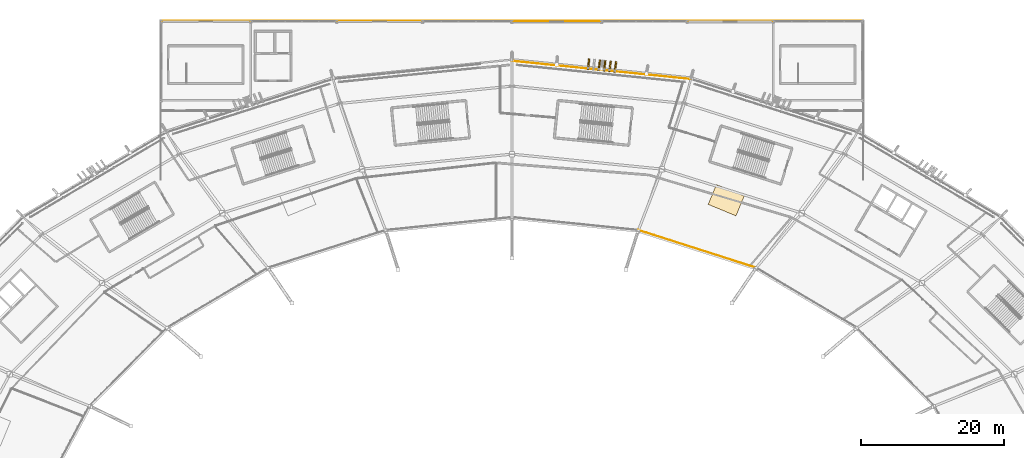
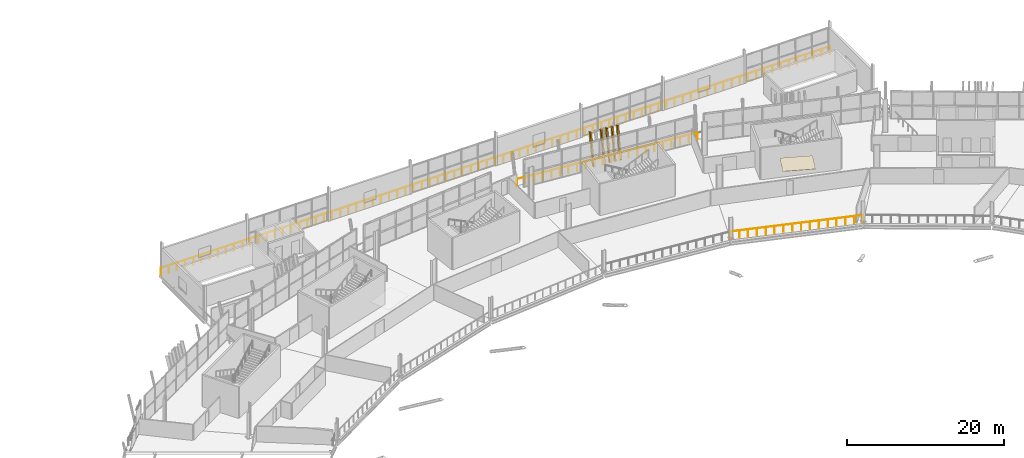
# One storey, part 166 of 168: 5 shading devices, 3 railings, 1 covering.
"""IFC4 building model written with IfcOpenShell, lengths in metres."""

from ifc_helpers import new_model, si_unit, direction, frame, origin, origin_2d, place, context, subcontext, project, spatial, polyline, rectangle, outline, extrude, material, layer, layer_set, material_profile, profile_set, type_object, element, save


model = new_model("IFC4")

# Units and contexts
model_context = context("Model", 3, precision=1e-05, world=origin(), true_north=direction((0.0, 1.0)))
body_context = subcontext(model_context, "Body", "Model", "MODEL_VIEW")
ifc_project = project(units=[si_unit("LENGTHUNIT", "METRE"), si_unit("AREAUNIT", "SQUARE_METRE"), si_unit("VOLUMEUNIT", "CUBIC_METRE"), si_unit("PLANEANGLEUNIT", "RADIAN"), si_unit("MASSUNIT", "GRAM", prefix="KILO")], contexts=[model_context])

# Site, building, storey
site_placement = place(None, origin())
site = spatial("IfcSite", under=ifc_project, at=site_placement, CompositionType="ELEMENT")
building_placement = place(site_placement, origin())
building = spatial("IfcBuilding", under=site, at=building_placement, Name="Zlatoyarsky Gate Stadium", CompositionType="ELEMENT")
storey_placement = place(building_placement, frame((0.0, 0.0, 15.60009765625)))
storey = spatial("IfcBuildingStorey", under=building, at=storey_placement, Name="L03", CompositionType="ELEMENT", Elevation=15.60009765625)

# Railings
ifc_material_1 = material(Name="Powder-coated steel tubular guardrail", Category="steel")
railing_type = type_object("IfcRailingType", Name="CONCOURSE SLAB EDGE GUARDRAIL 1200", PredefinedType="GUARDRAIL", material=ifc_material_1)
railing_1_placement = place(storey_placement, frame((145.090087890625, 125.622314453125, 0.0)))
element("IfcRailing", 1, at=railing_1_placement, inside=storey, type_object=railing_type, Name="L03 inner bowl edge guardrail 04", PredefinedType="GUARDRAIL", context=body_context, shape_type="SweptSolid", body=[
    extrude(rectangle(XDim=0.048095703125, YDim=0.048095703125, at=origin_2d()), frame((0.0, 0.0, 1.17578125), z_axis=(-0.952412982001, 0.304810616148, 0.0), x_axis=(-0.304810616148, -0.952412982001, 0.0)), (0.0, 0.0, 1.0), 17.265380859375),
    extrude(rectangle(XDim=0.0419921875, YDim=0.0419921875, at=origin_2d()), origin(), (0.0, 0.0, 1.0), 1.15185546875),
    extrude(rectangle(XDim=0.0419921875, YDim=0.0419921875, at=origin_2d()), frame((-1.09619140625, 0.350830078125, 0.0)), (0.0, 0.0, 1.0), 1.15185546875),
    extrude(rectangle(XDim=0.0419921875, YDim=0.0419921875, at=origin_2d()), frame((-2.192626953125, 0.70166015625, 0.0)), (0.0, 0.0, 1.0), 1.15185546875),
    extrude(rectangle(XDim=0.0419921875, YDim=0.0419921875, at=origin_2d()), frame((-3.288818359375, 1.052490234375, 0.0)), (0.0, 0.0, 1.0), 1.15185546875),
    extrude(rectangle(XDim=0.0419921875, YDim=0.0419921875, at=origin_2d()), frame((-4.385009765625, 1.4033203125, 0.0)), (0.0, 0.0, 1.0), 1.15185546875),
    extrude(rectangle(XDim=0.0419921875, YDim=0.0419921875, at=origin_2d()), frame((-5.481201171875, 1.754150390625, 0.0)), (0.0, 0.0, 1.0), 1.15185546875),
    extrude(rectangle(XDim=0.0419921875, YDim=0.0419921875, at=origin_2d()), frame((-6.57763671875, 2.10498046875, 0.0)), (0.0, 0.0, 1.0), 1.15185546875),
    extrude(rectangle(XDim=0.0419921875, YDim=0.0419921875, at=origin_2d()), frame((-7.673828125, 2.455810546875, 0.0)), (0.0, 0.0, 1.0), 1.15185546875),
    extrude(rectangle(XDim=0.0419921875, YDim=0.0419921875, at=origin_2d()), frame((-8.77001953125, 2.806884765625, 0.0)), (0.0, 0.0, 1.0), 1.15185546875),
    extrude(rectangle(XDim=0.0419921875, YDim=0.0419921875, at=origin_2d()), frame((-9.8662109375, 3.15771484375, 0.0)), (0.0, 0.0, 1.0), 1.15185546875),
    extrude(rectangle(XDim=0.0419921875, YDim=0.0419921875, at=origin_2d()), frame((-10.962646484375, 3.508544921875, 0.0)), (0.0, 0.0, 1.0), 1.15185546875),
    extrude(rectangle(XDim=0.0419921875, YDim=0.0419921875, at=origin_2d()), frame((-12.058837890625, 3.859375, 0.0)), (0.0, 0.0, 1.0), 1.15185546875),
    extrude(rectangle(XDim=0.0419921875, YDim=0.0419921875, at=origin_2d()), frame((-13.155029296875, 4.210205078125, 0.0)), (0.0, 0.0, 1.0), 1.15185546875),
    extrude(rectangle(XDim=0.0419921875, YDim=0.0419921875, at=origin_2d()), frame((-14.251220703125, 4.56103515625, 0.0)), (0.0, 0.0, 1.0), 1.15185546875),
    extrude(rectangle(XDim=0.0419921875, YDim=0.0419921875, at=origin_2d()), frame((-15.34765625, 4.911865234375, 0.0)), (0.0, 0.0, 1.0), 1.15185546875),
    extrude(rectangle(XDim=0.0419921875, YDim=0.0419921875, at=origin_2d()), frame((-16.44384765625, 5.2626953125, 0.0)), (0.0, 0.0, 1.0), 1.15185546875),
])
railing_2_placement = place(storey_placement, frame((135.981689453125, 151.98291015625, 0.0)))
element("IfcRailing", 2, at=railing_2_placement, inside=storey, type_object=railing_type, Name="L03 outer slab edge guardrail 05", PredefinedType="GUARDRAIL", context=body_context, shape_type="SweptSolid", body=[
    extrude(rectangle(XDim=0.048095703125, YDim=0.048095703125, at=origin_2d()), frame((0.0, 0.0, 1.17578125), z_axis=(-0.994873662945, 0.101125638586, 0.0), x_axis=(-0.101125638586, -0.994873662945, 0.0)), (0.0, 0.0, 1.0), 25.1103515625),
    extrude(rectangle(XDim=0.0419921875, YDim=0.0419921875, at=origin_2d()), origin(), (0.0, 0.0, 1.0), 1.15185546875),
    extrude(rectangle(XDim=0.0419921875, YDim=0.0419921875, at=origin_2d()), frame((-1.189697265625, 0.120849609375, 0.0)), (0.0, 0.0, 1.0), 1.15185546875),
    extrude(rectangle(XDim=0.0419921875, YDim=0.0419921875, at=origin_2d()), frame((-2.379150390625, 0.241943359375, 0.0)), (0.0, 0.0, 1.0), 1.15185546875),
    extrude(rectangle(XDim=0.0419921875, YDim=0.0419921875, at=origin_2d()), frame((-3.56884765625, 0.36279296875, 0.0)), (0.0, 0.0, 1.0), 1.15185546875),
    extrude(rectangle(XDim=0.0419921875, YDim=0.0419921875, at=origin_2d()), frame((-4.75830078125, 0.483642578125, 0.0)), (0.0, 0.0, 1.0), 1.15185546875),
    extrude(rectangle(XDim=0.0419921875, YDim=0.0419921875, at=origin_2d()), frame((-5.947998046875, 0.6044921875, 0.0)), (0.0, 0.0, 1.0), 1.15185546875),
    extrude(rectangle(XDim=0.0419921875, YDim=0.0419921875, at=origin_2d()), frame((-7.1376953125, 0.7255859375, 0.0)), (0.0, 0.0, 1.0), 1.15185546875),
    extrude(rectangle(XDim=0.0419921875, YDim=0.0419921875, at=origin_2d()), frame((-8.3271484375, 0.846435546875, 0.0)), (0.0, 0.0, 1.0), 1.15185546875),
    extrude(rectangle(XDim=0.0419921875, YDim=0.0419921875, at=origin_2d()), frame((-9.516845703125, 0.96728515625, 0.0)), (0.0, 0.0, 1.0), 1.15185546875),
    extrude(rectangle(XDim=0.0419921875, YDim=0.0419921875, at=origin_2d()), frame((-10.70654296875, 1.08837890625, 0.0)), (0.0, 0.0, 1.0), 1.15185546875),
    extrude(rectangle(XDim=0.0419921875, YDim=0.0419921875, at=origin_2d()), frame((-11.89599609375, 1.209228515625, 0.0)), (0.0, 0.0, 1.0), 1.15185546875),
    extrude(rectangle(XDim=0.0419921875, YDim=0.0419921875, at=origin_2d()), frame((-13.085693359375, 1.330078125, 0.0)), (0.0, 0.0, 1.0), 1.15185546875),
    extrude(rectangle(XDim=0.0419921875, YDim=0.0419921875, at=origin_2d()), frame((-14.275146484375, 1.450927734375, 0.0)), (0.0, 0.0, 1.0), 1.15185546875),
    extrude(rectangle(XDim=0.0419921875, YDim=0.0419921875, at=origin_2d()), frame((-15.46484375, 1.572021484375, 0.0)), (0.0, 0.0, 1.0), 1.15185546875),
    extrude(rectangle(XDim=0.0419921875, YDim=0.0419921875, at=origin_2d()), frame((-16.654541015625, 1.69287109375, 0.0)), (0.0, 0.0, 1.0), 1.15185546875),
    extrude(rectangle(XDim=0.0419921875, YDim=0.0419921875, at=origin_2d()), frame((-17.843994140625, 1.813720703125, 0.0)), (0.0, 0.0, 1.0), 1.15185546875),
    extrude(rectangle(XDim=0.0419921875, YDim=0.0419921875, at=origin_2d()), frame((-19.03369140625, 1.934814453125, 0.0)), (0.0, 0.0, 1.0), 1.15185546875),
    extrude(rectangle(XDim=0.0419921875, YDim=0.0419921875, at=origin_2d()), frame((-20.223388671875, 2.0556640625, 0.0)), (0.0, 0.0, 1.0), 1.15185546875),
    extrude(rectangle(XDim=0.0419921875, YDim=0.0419921875, at=origin_2d()), frame((-21.412841796875, 2.176513671875, 0.0)), (0.0, 0.0, 1.0), 1.15185546875),
    extrude(rectangle(XDim=0.0419921875, YDim=0.0419921875, at=origin_2d()), frame((-22.6025390625, 2.29736328125, 0.0)), (0.0, 0.0, 1.0), 1.15185546875),
    extrude(rectangle(XDim=0.0419921875, YDim=0.0419921875, at=origin_2d()), frame((-23.7919921875, 2.41845703125, 0.0)), (0.0, 0.0, 1.0), 1.15185546875),
    extrude(rectangle(XDim=0.0419921875, YDim=0.0419921875, at=origin_2d()), frame((-24.981689453125, 2.539306640625, 0.0)), (0.0, 0.0, 1.0), 1.15185546875),
])
railing_3_placement = place(storey_placement, frame((61.919921875, 160.080078125, 0.0)))
element("IfcRailing", 3, at=railing_3_placement, inside=storey, type_object=railing_type, Name="V2_NORTH L03 N slab edge guardrail", PredefinedType="GUARDRAIL", context=body_context, shape_type="SweptSolid", body=[
    extrude(rectangle(XDim=0.048095703125, YDim=0.048095703125, at=origin_2d()), frame((0.0, 0.0, 1.17578125), z_axis=(1.0, 0.0, 0.0), x_axis=(0.0, 1.0, 0.0)), (0.0, 0.0, 1.0), 98.16015625),
    extrude(rectangle(XDim=0.0419921875, YDim=0.0419921875, at=origin_2d()), origin(), (0.0, 0.0, 1.0), 1.15185546875),
    extrude(rectangle(XDim=0.0419921875, YDim=0.0419921875, at=origin_2d()), frame((1.197021484375, 0.0, 0.0)), (0.0, 0.0, 1.0), 1.15185546875),
    extrude(rectangle(XDim=0.0419921875, YDim=0.0419921875, at=origin_2d()), frame((2.39404296875, 0.0, 0.0)), (0.0, 0.0, 1.0), 1.15185546875),
    extrude(rectangle(XDim=0.0419921875, YDim=0.0419921875, at=origin_2d()), frame((3.59130859375, 0.0, 0.0)), (0.0, 0.0, 1.0), 1.15185546875),
    extrude(rectangle(XDim=0.0419921875, YDim=0.0419921875, at=origin_2d()), frame((4.788330078125, 0.0, 0.0)), (0.0, 0.0, 1.0), 1.15185546875),
    extrude(rectangle(XDim=0.0419921875, YDim=0.0419921875, at=origin_2d()), frame((5.9853515625, 0.0, 0.0)), (0.0, 0.0, 1.0), 1.15185546875),
    extrude(rectangle(XDim=0.0419921875, YDim=0.0419921875, at=origin_2d()), frame((7.182373046875, 0.0, 0.0)), (0.0, 0.0, 1.0), 1.15185546875),
    extrude(rectangle(XDim=0.0419921875, YDim=0.0419921875, at=origin_2d()), frame((8.379638671875, 0.0, 0.0)), (0.0, 0.0, 1.0), 1.15185546875),
    extrude(rectangle(XDim=0.0419921875, YDim=0.0419921875, at=origin_2d()), frame((9.57666015625, 0.0, 0.0)), (0.0, 0.0, 1.0), 1.15185546875),
    extrude(rectangle(XDim=0.0419921875, YDim=0.0419921875, at=origin_2d()), frame((10.773681640625, 0.0, 0.0)), (0.0, 0.0, 1.0), 1.15185546875),
    extrude(rectangle(XDim=0.0419921875, YDim=0.0419921875, at=origin_2d()), frame((11.970703125, 0.0, 0.0)), (0.0, 0.0, 1.0), 1.15185546875),
    extrude(rectangle(XDim=0.0419921875, YDim=0.0419921875, at=origin_2d()), frame((13.167724609375, 0.0, 0.0)), (0.0, 0.0, 1.0), 1.15185546875),
    extrude(rectangle(XDim=0.0419921875, YDim=0.0419921875, at=origin_2d()), frame((14.364990234375, 0.0, 0.0)), (0.0, 0.0, 1.0), 1.15185546875),
    extrude(rectangle(XDim=0.0419921875, YDim=0.0419921875, at=origin_2d()), frame((15.56201171875, 0.0, 0.0)), (0.0, 0.0, 1.0), 1.15185546875),
    extrude(rectangle(XDim=0.0419921875, YDim=0.0419921875, at=origin_2d()), frame((16.759033203125, 0.0, 0.0)), (0.0, 0.0, 1.0), 1.15185546875),
    extrude(rectangle(XDim=0.0419921875, YDim=0.0419921875, at=origin_2d()), frame((17.9560546875, 0.0, 0.0)), (0.0, 0.0, 1.0), 1.15185546875),
    extrude(rectangle(XDim=0.0419921875, YDim=0.0419921875, at=origin_2d()), frame((19.1533203125, 0.0, 0.0)), (0.0, 0.0, 1.0), 1.15185546875),
    extrude(rectangle(XDim=0.0419921875, YDim=0.0419921875, at=origin_2d()), frame((20.350341796875, 0.0, 0.0)), (0.0, 0.0, 1.0), 1.15185546875),
    extrude(rectangle(XDim=0.0419921875, YDim=0.0419921875, at=origin_2d()), frame((21.54736328125, 0.0, 0.0)), (0.0, 0.0, 1.0), 1.15185546875),
    extrude(rectangle(XDim=0.0419921875, YDim=0.0419921875, at=origin_2d()), frame((22.744384765625, 0.0, 0.0)), (0.0, 0.0, 1.0), 1.15185546875),
    extrude(rectangle(XDim=0.0419921875, YDim=0.0419921875, at=origin_2d()), frame((23.94140625, 0.0, 0.0)), (0.0, 0.0, 1.0), 1.15185546875),
    extrude(rectangle(XDim=0.0419921875, YDim=0.0419921875, at=origin_2d()), frame((25.138671875, 0.0, 0.0)), (0.0, 0.0, 1.0), 1.15185546875),
    extrude(rectangle(XDim=0.0419921875, YDim=0.0419921875, at=origin_2d()), frame((26.335693359375, 0.0, 0.0)), (0.0, 0.0, 1.0), 1.15185546875),
    extrude(rectangle(XDim=0.0419921875, YDim=0.0419921875, at=origin_2d()), frame((27.53271484375, 0.0, 0.0)), (0.0, 0.0, 1.0), 1.15185546875),
    extrude(rectangle(XDim=0.0419921875, YDim=0.0419921875, at=origin_2d()), frame((28.729736328125, 0.0, 0.0)), (0.0, 0.0, 1.0), 1.15185546875),
    extrude(rectangle(XDim=0.0419921875, YDim=0.0419921875, at=origin_2d()), frame((29.9267578125, 0.0, 0.0)), (0.0, 0.0, 1.0), 1.15185546875),
    extrude(rectangle(XDim=0.0419921875, YDim=0.0419921875, at=origin_2d()), frame((31.1240234375, 0.0, 0.0)), (0.0, 0.0, 1.0), 1.15185546875),
    extrude(rectangle(XDim=0.0419921875, YDim=0.0419921875, at=origin_2d()), frame((32.321044921875, 0.0, 0.0)), (0.0, 0.0, 1.0), 1.15185546875),
    extrude(rectangle(XDim=0.0419921875, YDim=0.0419921875, at=origin_2d()), frame((33.51806640625, 0.0, 0.0)), (0.0, 0.0, 1.0), 1.15185546875),
    extrude(rectangle(XDim=0.0419921875, YDim=0.0419921875, at=origin_2d()), frame((34.715087890625, 0.0, 0.0)), (0.0, 0.0, 1.0), 1.15185546875),
    extrude(rectangle(XDim=0.0419921875, YDim=0.0419921875, at=origin_2d()), frame((35.912353515625, 0.0, 0.0)), (0.0, 0.0, 1.0), 1.15185546875),
    extrude(rectangle(XDim=0.0419921875, YDim=0.0419921875, at=origin_2d()), frame((37.109375, 0.0, 0.0)), (0.0, 0.0, 1.0), 1.15185546875),
    extrude(rectangle(XDim=0.0419921875, YDim=0.0419921875, at=origin_2d()), frame((38.306396484375, 0.0, 0.0)), (0.0, 0.0, 1.0), 1.15185546875),
    extrude(rectangle(XDim=0.0419921875, YDim=0.0419921875, at=origin_2d()), frame((39.50341796875, 0.0, 0.0)), (0.0, 0.0, 1.0), 1.15185546875),
    extrude(rectangle(XDim=0.0419921875, YDim=0.0419921875, at=origin_2d()), frame((40.700439453125, 0.0, 0.0)), (0.0, 0.0, 1.0), 1.15185546875),
    extrude(rectangle(XDim=0.0419921875, YDim=0.0419921875, at=origin_2d()), frame((41.897705078125, 0.0, 0.0)), (0.0, 0.0, 1.0), 1.15185546875),
    extrude(rectangle(XDim=0.0419921875, YDim=0.0419921875, at=origin_2d()), frame((43.0947265625, 0.0, 0.0)), (0.0, 0.0, 1.0), 1.15185546875),
    extrude(rectangle(XDim=0.0419921875, YDim=0.0419921875, at=origin_2d()), frame((44.291748046875, 0.0, 0.0)), (0.0, 0.0, 1.0), 1.15185546875),
    extrude(rectangle(XDim=0.0419921875, YDim=0.0419921875, at=origin_2d()), frame((45.48876953125, 0.0, 0.0)), (0.0, 0.0, 1.0), 1.15185546875),
    extrude(rectangle(XDim=0.0419921875, YDim=0.0419921875, at=origin_2d()), frame((46.68603515625, 0.0, 0.0)), (0.0, 0.0, 1.0), 1.15185546875),
    extrude(rectangle(XDim=0.0419921875, YDim=0.0419921875, at=origin_2d()), frame((47.883056640625, 0.0, 0.0)), (0.0, 0.0, 1.0), 1.15185546875),
    extrude(rectangle(XDim=0.0419921875, YDim=0.0419921875, at=origin_2d()), frame((49.080078125, 0.0, 0.0)), (0.0, 0.0, 1.0), 1.15185546875),
    extrude(rectangle(XDim=0.0419921875, YDim=0.0419921875, at=origin_2d()), frame((50.277099609375, 0.0, 0.0)), (0.0, 0.0, 1.0), 1.15185546875),
    extrude(rectangle(XDim=0.0419921875, YDim=0.0419921875, at=origin_2d()), frame((51.47412109375, 0.0, 0.0)), (0.0, 0.0, 1.0), 1.15185546875),
    extrude(rectangle(XDim=0.0419921875, YDim=0.0419921875, at=origin_2d()), frame((52.67138671875, 0.0, 0.0)), (0.0, 0.0, 1.0), 1.15185546875),
    extrude(rectangle(XDim=0.0419921875, YDim=0.0419921875, at=origin_2d()), frame((53.868408203125, 0.0, 0.0)), (0.0, 0.0, 1.0), 1.15185546875),
    extrude(rectangle(XDim=0.0419921875, YDim=0.0419921875, at=origin_2d()), frame((55.0654296875, 0.0, 0.0)), (0.0, 0.0, 1.0), 1.15185546875),
    extrude(rectangle(XDim=0.0419921875, YDim=0.0419921875, at=origin_2d()), frame((56.262451171875, 0.0, 0.0)), (0.0, 0.0, 1.0), 1.15185546875),
    extrude(rectangle(XDim=0.0419921875, YDim=0.0419921875, at=origin_2d()), frame((57.459716796875, 0.0, 0.0)), (0.0, 0.0, 1.0), 1.15185546875),
    extrude(rectangle(XDim=0.0419921875, YDim=0.0419921875, at=origin_2d()), frame((58.65673828125, 0.0, 0.0)), (0.0, 0.0, 1.0), 1.15185546875),
    extrude(rectangle(XDim=0.0419921875, YDim=0.0419921875, at=origin_2d()), frame((59.853759765625, 0.0, 0.0)), (0.0, 0.0, 1.0), 1.15185546875),
    extrude(rectangle(XDim=0.0419921875, YDim=0.0419921875, at=origin_2d()), frame((61.05078125, 0.0, 0.0)), (0.0, 0.0, 1.0), 1.15185546875),
    extrude(rectangle(XDim=0.0419921875, YDim=0.0419921875, at=origin_2d()), frame((62.247802734375, 0.0, 0.0)), (0.0, 0.0, 1.0), 1.15185546875),
    extrude(rectangle(XDim=0.0419921875, YDim=0.0419921875, at=origin_2d()), frame((63.445068359375, 0.0, 0.0)), (0.0, 0.0, 1.0), 1.15185546875),
    extrude(rectangle(XDim=0.0419921875, YDim=0.0419921875, at=origin_2d()), frame((64.64208984375, 0.0, 0.0)), (0.0, 0.0, 1.0), 1.15185546875),
    extrude(rectangle(XDim=0.0419921875, YDim=0.0419921875, at=origin_2d()), frame((65.839111328125, 0.0, 0.0)), (0.0, 0.0, 1.0), 1.15185546875),
    extrude(rectangle(XDim=0.0419921875, YDim=0.0419921875, at=origin_2d()), frame((67.0361328125, 0.0, 0.0)), (0.0, 0.0, 1.0), 1.15185546875),
    extrude(rectangle(XDim=0.0419921875, YDim=0.0419921875, at=origin_2d()), frame((68.2333984375, 0.0, 0.0)), (0.0, 0.0, 1.0), 1.15185546875),
    extrude(rectangle(XDim=0.0419921875, YDim=0.0419921875, at=origin_2d()), frame((69.430419921875, 0.0, 0.0)), (0.0, 0.0, 1.0), 1.15185546875),
    extrude(rectangle(XDim=0.0419921875, YDim=0.0419921875, at=origin_2d()), frame((70.62744140625, 0.0, 0.0)), (0.0, 0.0, 1.0), 1.15185546875),
    extrude(rectangle(XDim=0.0419921875, YDim=0.0419921875, at=origin_2d()), frame((71.824462890625, 0.0, 0.0)), (0.0, 0.0, 1.0), 1.15185546875),
    extrude(rectangle(XDim=0.0419921875, YDim=0.0419921875, at=origin_2d()), frame((73.021484375, 0.0, 0.0)), (0.0, 0.0, 1.0), 1.15185546875),
    extrude(rectangle(XDim=0.0419921875, YDim=0.0419921875, at=origin_2d()), frame((74.21875, 0.0, 0.0)), (0.0, 0.0, 1.0), 1.15185546875),
    extrude(rectangle(XDim=0.0419921875, YDim=0.0419921875, at=origin_2d()), frame((75.415771484375, 0.0, 0.0)), (0.0, 0.0, 1.0), 1.15185546875),
    extrude(rectangle(XDim=0.0419921875, YDim=0.0419921875, at=origin_2d()), frame((76.61279296875, 0.0, 0.0)), (0.0, 0.0, 1.0), 1.15185546875),
    extrude(rectangle(XDim=0.0419921875, YDim=0.0419921875, at=origin_2d()), frame((77.809814453125, 0.0, 0.0)), (0.0, 0.0, 1.0), 1.15185546875),
    extrude(rectangle(XDim=0.0419921875, YDim=0.0419921875, at=origin_2d()), frame((79.0068359375, 0.0, 0.0)), (0.0, 0.0, 1.0), 1.15185546875),
    extrude(rectangle(XDim=0.0419921875, YDim=0.0419921875, at=origin_2d()), frame((80.2041015625, 0.0, 0.0)), (0.0, 0.0, 1.0), 1.15185546875),
    extrude(rectangle(XDim=0.0419921875, YDim=0.0419921875, at=origin_2d()), frame((81.401123046875, 0.0, 0.0)), (0.0, 0.0, 1.0), 1.15185546875),
    extrude(rectangle(XDim=0.0419921875, YDim=0.0419921875, at=origin_2d()), frame((82.59814453125, 0.0, 0.0)), (0.0, 0.0, 1.0), 1.15185546875),
    extrude(rectangle(XDim=0.0419921875, YDim=0.0419921875, at=origin_2d()), frame((83.795166015625, 0.0, 0.0)), (0.0, 0.0, 1.0), 1.15185546875),
    extrude(rectangle(XDim=0.0419921875, YDim=0.0419921875, at=origin_2d()), frame((84.992431640625, 0.0, 0.0)), (0.0, 0.0, 1.0), 1.15185546875),
    extrude(rectangle(XDim=0.0419921875, YDim=0.0419921875, at=origin_2d()), frame((86.189453125, 0.0, 0.0)), (0.0, 0.0, 1.0), 1.15185546875),
    extrude(rectangle(XDim=0.0419921875, YDim=0.0419921875, at=origin_2d()), frame((87.386474609375, 0.0, 0.0)), (0.0, 0.0, 1.0), 1.15185546875),
    extrude(rectangle(XDim=0.0419921875, YDim=0.0419921875, at=origin_2d()), frame((88.58349609375, 0.0, 0.0)), (0.0, 0.0, 1.0), 1.15185546875),
    extrude(rectangle(XDim=0.0419921875, YDim=0.0419921875, at=origin_2d()), frame((89.780517578125, 0.0, 0.0)), (0.0, 0.0, 1.0), 1.15185546875),
    extrude(rectangle(XDim=0.0419921875, YDim=0.0419921875, at=origin_2d()), frame((90.977783203125, 0.0, 0.0)), (0.0, 0.0, 1.0), 1.15185546875),
    extrude(rectangle(XDim=0.0419921875, YDim=0.0419921875, at=origin_2d()), frame((92.1748046875, 0.0, 0.0)), (0.0, 0.0, 1.0), 1.15185546875),
    extrude(rectangle(XDim=0.0419921875, YDim=0.0419921875, at=origin_2d()), frame((93.371826171875, 0.0, 0.0)), (0.0, 0.0, 1.0), 1.15185546875),
    extrude(rectangle(XDim=0.0419921875, YDim=0.0419921875, at=origin_2d()), frame((94.56884765625, 0.0, 0.0)), (0.0, 0.0, 1.0), 1.15185546875),
    extrude(rectangle(XDim=0.0419921875, YDim=0.0419921875, at=origin_2d()), frame((95.76611328125, 0.0, 0.0)), (0.0, 0.0, 1.0), 1.15185546875),
    extrude(rectangle(XDim=0.0419921875, YDim=0.0419921875, at=origin_2d()), frame((96.963134765625, 0.0, 0.0)), (0.0, 0.0, 1.0), 1.15185546875),
    extrude(rectangle(XDim=0.0419921875, YDim=0.0419921875, at=origin_2d()), frame((98.16015625, 0.0, 0.0)), (0.0, 0.0, 1.0), 1.15185546875),
])

# Covering
ifc_material_2 = material(Name="Perforated anodised aluminium acoustic ceiling", Category="aluminium")
ifc_layer = layer(ifc_material_2, 0.050048828125)
ifc_layer_set = layer_set([ifc_layer], Name="Perforated anodised aluminium acoustic ceiling")
covering_type = type_object("IfcCoveringType", Name="PERFORATED ACOUSTIC BAFFLE CEILING 50", PredefinedType="CEILING", material=ifc_layer_set)
covering_placement = place(storey_placement, frame((0.0, 0.0, 4.849853515625)))
element("IfcCovering", 4, at=covering_placement, inside=storey, type_object=covering_type, Name="L03 box gallery acoustic ceiling 02", PredefinedType="CEILING", context=body_context, shape_type="SweptSolid", body=[
    extrude(outline(polyline([(142.2919921875, 132.87353515625), (138.411865234375, 134.480712890625), (139.559814453125, 137.25244140625), (143.440185546875, 135.645263671875), (142.2919921875, 132.87353515625)])), origin(), (0.0, 0.0, 1.0), 0.050048828125),
])

# Shading devices
ifc_material_3 = material(Name="Precast concrete C40/50 stone-toned architectural rib", Category="masonry")
ifc_material_profile = material_profile(ifc_material_3, rectangle(XDim=0.199951171875, YDim=0.47998046875, at=origin_2d()), Name="RIB 200X480")
ifc_profile_set = profile_set([ifc_material_profile], Name="Precast concrete C40/50 stone-toned architectural rib")
shading_device_type = type_object("IfcShadingDeviceType", Name="PRECAST FLUTED GATE LOUVRE BLADE 200X480", PredefinedType="SHUTTER", material=ifc_profile_set)
for number, where, z_axis, x_axis, name in (
    (5, (125.369140625, 153.1611328125, -0.010009765625), (0.033208487597, 0.219022748194, 0.975154465777), (-0.98869997193, 0.149907856719, 0.0), "Leaning bowl louvre fin L03-05-1"),
    (6, (124.623046875, 153.237060546875, -0.010009765625), (0.031471786902, 0.219229606489, 0.975165578898), (-0.989852375307, 0.14209952533, 0.0), "Leaning bowl louvre fin L03-05-2"),
    (7, (123.876953125, 153.31298828125, -0.010009765625), (0.02973495566, 0.219435798213, 0.975173709077), (-0.990943539238, 0.134279194374, 0.0), "Leaning bowl louvre fin L03-05-3"),
    (8, (123.130859375, 153.388916015625, -0.010009765625), (0.028049060904, 0.219641006967, 0.975177459871), (-0.991944228597, 0.126675362061, 0.0), "Leaning bowl louvre fin L03-05-4"),
    (9, (121.638427734375, 153.54052734375, -0.010009765625), (0.02462568194, 0.220098418668, 0.975166786703), (-0.993799046782, 0.111191072551, 0.0), "Leaning bowl louvre fin L03-05-6"),
):
    element("IfcShadingDevice", number, at=place(storey_placement, frame(where, z_axis=z_axis, x_axis=x_axis)), inside=storey, type_object=shading_device_type, Name=name, PredefinedType="SHUTTER", context=body_context, shape_type="SweptSolid", body=[
        extrude(rectangle(XDim=0.199951171875, YDim=0.47998046875, at=origin_2d()), origin(), (0.0, 0.0, 1.0), 4.778564453125),
    ])

save(model, "model.ifc")
